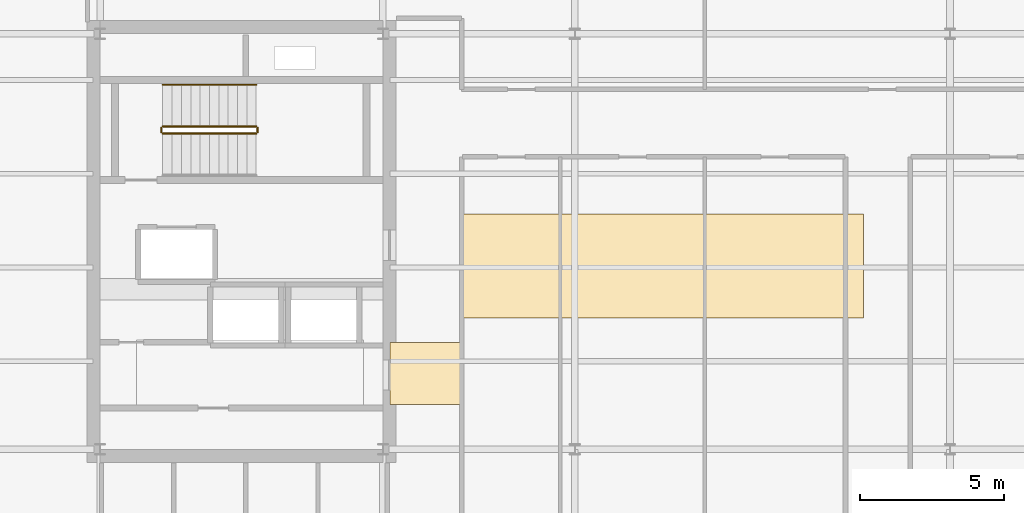
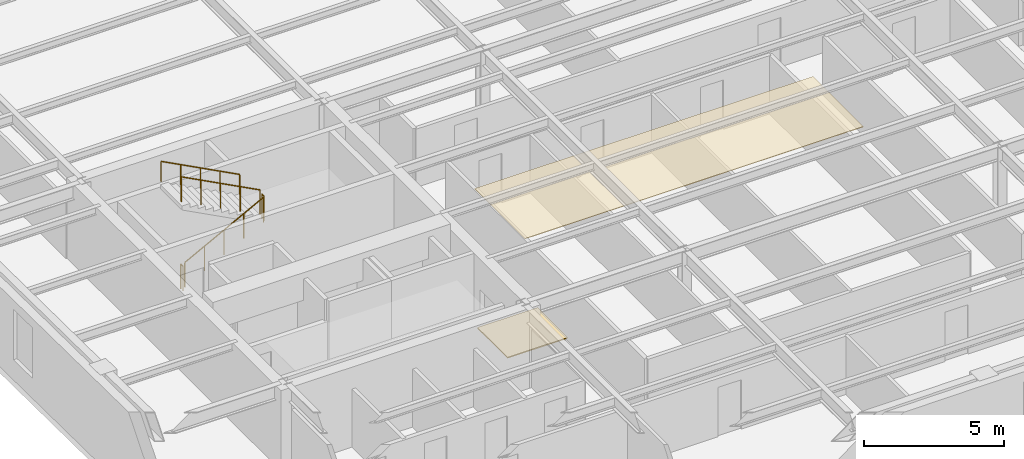
# One storey, part 12 of 15: 5 railings, 2 coverings.
"""IFC4 building model written with IfcOpenShell, lengths in metres."""

from ifc_helpers import new_model, si_unit, direction, frame, origin, origin_2d, place, context, subcontext, project, spatial, polyline, circle, outline, extrude, material, layer, layer_set, type_object, element, save


model = new_model("IFC4")

# Units and contexts
model_context = context("Model", 3, precision=1e-05, world=origin(), true_north=direction((0.0, 1.0)))
body_context = subcontext(model_context, "Body", "Model", "MODEL_VIEW")
ifc_project = project(units=[si_unit("LENGTHUNIT", "METRE"), si_unit("AREAUNIT", "SQUARE_METRE"), si_unit("VOLUMEUNIT", "CUBIC_METRE"), si_unit("PLANEANGLEUNIT", "RADIAN"), si_unit("MASSUNIT", "GRAM", prefix="KILO")], contexts=[model_context])

# Site, building, storey
site_placement = place(None, origin())
site = spatial("IfcSite", under=ifc_project, at=site_placement, CompositionType="ELEMENT")
building_placement = place(site_placement, origin())
building = spatial("IfcBuilding", under=site, at=building_placement, Name="Kolvaren Arena Tower", CompositionType="ELEMENT")
storey_placement = place(building_placement, frame((0.0, 0.0, 282.39990234375)))
storey = spatial("IfcBuildingStorey", under=building, at=storey_placement, Name="L69", CompositionType="ELEMENT", Elevation=282.39990234375)

# Coverings
ifc_material_1 = material(Name="Mineral fibre acoustic ceiling tile", Category="gypsum")
ifc_layer_1 = layer(ifc_material_1, 0.02490234375)
ifc_layer_set_1 = layer_set([ifc_layer_1], Name="Mineral fibre acoustic ceiling tile")
covering_type_1 = type_object("IfcCoveringType", Name="CEIL-ACT-1", PredefinedType="CEILING", material=ifc_layer_set_1)
covering_1_placement = place(storey_placement, frame((0.0, 0.0, 2.52001953125)))
element("IfcCovering", 1, at=covering_1_placement, inside=storey, type_object=covering_type_1, Name="Suspended Ceiling (L69)", PredefinedType="CEILING", context=body_context, shape_type="SweptSolid", body=[
    extrude(outline(polyline([(27.050048828125, 24.0), (27.050048828125, 27.60009765625), (41.0, 27.60009765625), (41.0, 24.0), (27.050048828125, 24.0)])), origin(), (0.0, 0.0, 1.0), 0.025146484375),
])
ifc_material_2 = material(Name="Raised access office floor finish", Category="aluminium")
ifc_layer_2 = layer(ifc_material_2, 0.044921875)
ifc_layer_set_2 = layer_set([ifc_layer_2], Name="Raised access office floor finish")
covering_type_2 = type_object("IfcCoveringType", Name="FLOR-RAF-1", PredefinedType="FLOORING", material=ifc_layer_set_2)
covering_2_placement = place(storey_placement, origin())
element("IfcCovering", 2, at=covering_2_placement, inside=storey, type_object=covering_type_2, Name="Floor Finish (L69)", PredefinedType="FLOORING", context=body_context, shape_type="SweptSolid", body=[
    extrude(outline(polyline([(24.60009765625, 21.0), (24.60009765625, 23.14990234375), (27.080078125, 23.14990234375), (27.080078125, 21.0), (24.60009765625, 21.0)])), origin(), (0.0, 0.0, 1.0), 0.045166015625),
])

# Railings
ifc_material_3 = material(Name="Painted galvanized steel", Category="steel")
railing_type_1 = type_object("IfcRailingType", Name="GUARD-ST-110", PredefinedType="GUARDRAIL", material=ifc_material_3)
railing_1_placement = place(storey_placement, frame((16.719970703125, 30.389892578125, 0.170654296875)))
element("IfcRailing", 3, at=railing_1_placement, inside=storey, type_object=railing_type_1, Name="L69 ST-W1 stair guard 1", PredefinedType="GUARDRAIL", context=body_context, shape_type="SweptSolid", body=[
    extrude(circle(Radius=0.02392578125, at=origin_2d()), frame((0.0, 0.0, 1.076171875), z_axis=(0.885020909582, 0.0, 0.465551274945), x_axis=(0.0, 1.0, 0.0)), (0.0, 0.0, 1.0), 3.660888671875),
    extrude(circle(Radius=0.02099609375, at=origin_2d()), origin(), (0.0, 0.0, 1.0), 1.052001953125),
    extrude(circle(Radius=0.02099609375, at=origin_2d()), frame((0.81005859375, 0.0, 0.426025390625)), (0.0, 0.0, 1.0), 1.052001953125),
    extrude(circle(Radius=0.02099609375, at=origin_2d()), frame((1.6201171875, 0.0, 0.85205078125)), (0.0, 0.0, 1.0), 1.052001953125),
    extrude(circle(Radius=0.02099609375, at=origin_2d()), frame((2.429931640625, 0.0, 1.2783203125)), (0.0, 0.0, 1.0), 1.052001953125),
    extrude(circle(Radius=0.02099609375, at=origin_2d()), frame((3.239990234375, 0.0, 1.704345703125)), (0.0, 0.0, 1.0), 1.052001953125),
])
railing_2_placement = place(storey_placement, frame((20.010009765625, 30.43994140625, 1.875)))
element("IfcRailing", 4, at=railing_2_placement, inside=storey, type_object=railing_type_1, Name="L69 ST-W1 stair guard 2", PredefinedType="GUARDRAIL", context=body_context, shape_type="SweptSolid", body=[
    extrude(circle(Radius=0.02392578125, at=origin_2d()), frame((0.0, 0.0, 1.076171875), z_axis=(0.0, 1.0, 0.0), x_axis=(-1.0, 0.0, 0.0)), (0.0, 0.0, 1.0), 0.150146484375),
    extrude(circle(Radius=0.02099609375, at=origin_2d()), origin(), (0.0, 0.0, 1.0), 1.052001953125),
    extrude(circle(Radius=0.02099609375, at=origin_2d()), frame((0.0, 0.150146484375, 0.0)), (0.0, 0.0, 1.0), 1.052001953125),
])
railing_3_placement = place(storey_placement, frame((19.9599609375, 30.639892578125, 2.045654296875)))
element("IfcRailing", 5, at=railing_3_placement, inside=storey, type_object=railing_type_1, Name="L69 ST-W1 stair guard 3", PredefinedType="GUARDRAIL", context=body_context, shape_type="SweptSolid", body=[
    extrude(circle(Radius=0.02392578125, at=origin_2d()), frame((0.0, 0.0, 1.076171875), z_axis=(-0.885020909582, 0.0, 0.465551274945), x_axis=(0.0, -1.0, 0.0)), (0.0, 0.0, 1.0), 3.660888671875),
    extrude(circle(Radius=0.02099609375, at=origin_2d()), origin(), (0.0, 0.0, 1.0), 1.052001953125),
    extrude(circle(Radius=0.02099609375, at=origin_2d()), frame((-0.81005859375, 0.0, 0.426025390625)), (0.0, 0.0, 1.0), 1.052001953125),
    extrude(circle(Radius=0.02099609375, at=origin_2d()), frame((-1.6201171875, 0.0, 0.85205078125)), (0.0, 0.0, 1.0), 1.052001953125),
    extrude(circle(Radius=0.02099609375, at=origin_2d()), frame((-2.429931640625, 0.0, 1.2783203125)), (0.0, 0.0, 1.0), 1.052001953125),
    extrude(circle(Radius=0.02099609375, at=origin_2d()), frame((-3.239990234375, 0.0, 1.704345703125)), (0.0, 0.0, 1.0), 1.052001953125),
])
railing_4_placement = place(storey_placement, frame((16.669921875, 30.43994140625, 0.0)))
element("IfcRailing", 6, at=railing_4_placement, inside=storey, type_object=railing_type_1, Name="L69 ST-W1 stair guard 4", PredefinedType="GUARDRAIL", context=body_context, shape_type="SweptSolid", body=[
    extrude(circle(Radius=0.02392578125, at=origin_2d()), frame((0.0, 0.0, 1.076171875), z_axis=(0.0, 1.0, 0.0), x_axis=(-1.0, 0.0, 0.0)), (0.0, 0.0, 1.0), 0.150146484375),
    extrude(circle(Radius=0.02099609375, at=origin_2d()), origin(), (0.0, 0.0, 1.0), 1.052001953125),
    extrude(circle(Radius=0.02099609375, at=origin_2d()), frame((0.0, 0.150146484375, 0.0)), (0.0, 0.0, 1.0), 1.052001953125),
])
ifc_material_4 = material(Name="Brushed stainless steel handrail", Category="steel")
railing_type_2 = type_object("IfcRailingType", Name="HRAIL-900", PredefinedType="HANDRAIL", material=ifc_material_4)
railing_5_placement = place(storey_placement, frame((19.9599609375, 32.080078125, 2.045654296875)))
element("IfcRailing", 7, at=railing_5_placement, inside=storey, type_object=railing_type_2, Name="L69 ST-W1 stair handrail 2", PredefinedType="HANDRAIL", context=body_context, shape_type="SweptSolid", body=[
    extrude(circle(Radius=0.02392578125, at=origin_2d()), frame((0.0, 0.0, 0.8759765625), z_axis=(-0.885020909582, 0.0, 0.465551274945), x_axis=(0.0, -1.0, 0.0)), (0.0, 0.0, 1.0), 3.660888671875),
    extrude(circle(Radius=0.02099609375, at=origin_2d()), origin(), (0.0, 0.0, 1.0), 0.851806640625),
    extrude(circle(Radius=0.02099609375, at=origin_2d()), frame((-0.81005859375, 0.0, 0.426025390625)), (0.0, 0.0, 1.0), 0.851806640625),
    extrude(circle(Radius=0.02099609375, at=origin_2d()), frame((-1.6201171875, 0.0, 0.85205078125)), (0.0, 0.0, 1.0), 0.851806640625),
    extrude(circle(Radius=0.02099609375, at=origin_2d()), frame((-2.429931640625, 0.0, 1.2783203125)), (0.0, 0.0, 1.0), 0.851806640625),
    extrude(circle(Radius=0.02099609375, at=origin_2d()), frame((-3.239990234375, 0.0, 1.704345703125)), (0.0, 0.0, 1.0), 0.851806640625),
])

save(model, "model.ifc")
